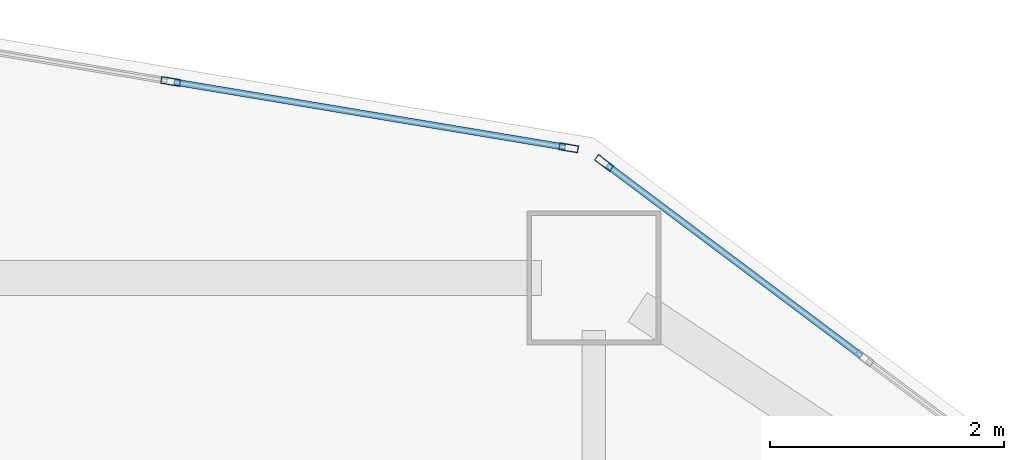
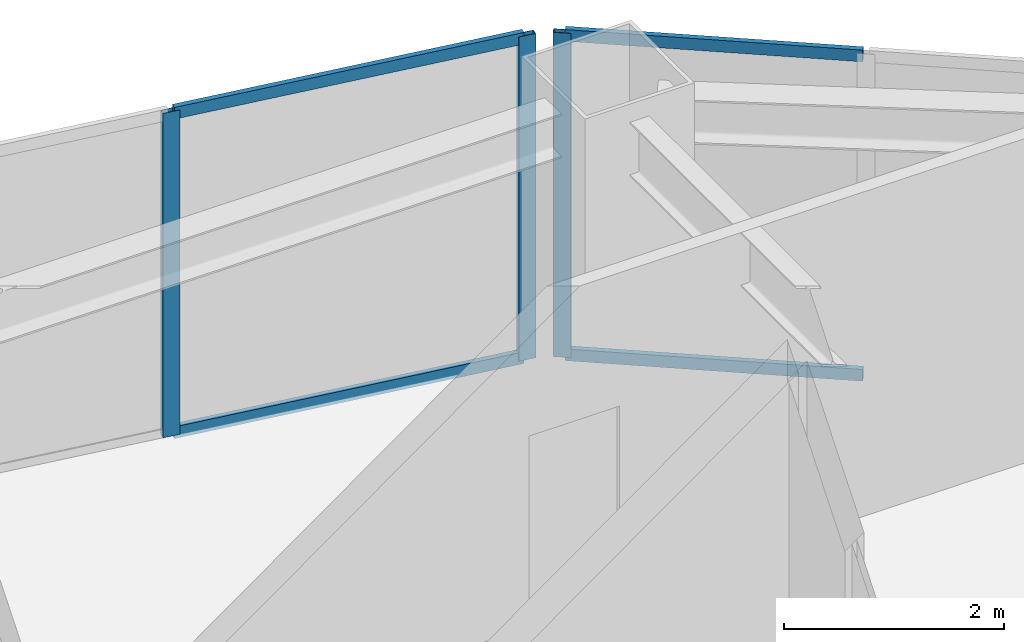
# One storey, part 4 of 16: 7 members, 2 elements without a shape of their own.
"""IFC4 building model written with IfcOpenShell, lengths in metres."""

from ifc_helpers import new_model, si_unit, direction, frame, origin, origin_2d, place, context, subcontext, project, spatial, hollow_rectangle, extrude, material, layer, layer_set, material_profile, profile_set, type_object, element, aggregate, save


model = new_model("IFC4")

# Units and contexts
model_context = context("Model", 3, precision=1e-05, world=origin(), true_north=direction((0.0, 1.0)))
body_context = subcontext(model_context, "Body", "Model", "MODEL_VIEW")
ifc_project = project(units=[si_unit("LENGTHUNIT", "METRE"), si_unit("AREAUNIT", "SQUARE_METRE"), si_unit("VOLUMEUNIT", "CUBIC_METRE"), si_unit("PLANEANGLEUNIT", "RADIAN"), si_unit("MASSUNIT", "GRAM", prefix="KILO")], contexts=[model_context])

# Site, building, storey
site_placement = place(None, origin())
site = spatial("IfcSite", under=ifc_project, at=site_placement, CompositionType="ELEMENT")
building_placement = place(site_placement, origin())
building = spatial("IfcBuilding", under=site, at=building_placement, Name="Haolan Belvedere Tower", CompositionType="ELEMENT")
storey_placement = place(building_placement, frame((0.0, 0.0, 78.0)))
storey = spatial("IfcBuildingStorey", under=building, at=storey_placement, Name="L19", CompositionType="ELEMENT", Elevation=78.0)

# Curtain wall, member
ifc_material_1 = material(Name="Anodised champagne-silver aluminium 6063-T6 and Low-E glass", Category="aluminium")
ifc_layer = layer(ifc_material_1, 0.1650390625, Name="Anodised champagne-silver aluminium 6063-T6 and Low-E glass")
ifc_layer_set = layer_set([ifc_layer], Name="Anodised champagne-silver aluminium 6063-T6 and Low-E glass")
curtain_wall_type = type_object("IfcCurtainWallType", Name="CW-SYS-02", PredefinedType="NOTDEFINED", material=ifc_layer_set)
curtain_wall_1_placement = place(storey_placement, origin())
curtain_wall_1 = element("IfcCurtainWall", 1, at=curtain_wall_1_placement, inside=storey, type_object=curtain_wall_type, Name="L19 CW-SYS-02 ribbon curtain wall 41.1", PredefinedType="NOTDEFINED")
ifc_material_2 = material(Name="Anodised aluminium 6063-T6", Category="aluminium")
ifc_material_profile_1 = material_profile(ifc_material_2, hollow_rectangle(XDim=0.06005859375, YDim=0.1650390625, WallThickness=0.00390625, at=origin_2d()), Name="Anodised aluminium 6063-T6")
ifc_profile_set_1 = profile_set([ifc_material_profile_1], Name="Anodised aluminium 6063-T6")
member_type_1 = type_object("IfcMemberType", Name="CW-SYS-02-MUL", PredefinedType="MULLION", material=ifc_profile_set_1)
member_1_placement = place(storey_placement, frame((45.6875, 51.384521484375, 0.0), z_axis=(0.0, 0.0, 1.0), x_axis=(-0.599994316874, -0.800004262313, 0.0)))
member_1 = element("IfcMember", 2, at=member_1_placement, type_object=member_type_1, Name="CW-02 mullion 3", PredefinedType="MULLION", context=body_context, shape_type="SweptSolid", body=[
    extrude(hollow_rectangle(XDim=0.06005859375, YDim=0.1650390625, WallThickness=0.00390625, at=origin_2d()), origin(), (0.0, 0.0, 1.0), 3.60009765625),
])

# Curtain wall, members
curtain_wall_2_placement = place(storey_placement, origin())
curtain_wall_2 = element("IfcCurtainWall", 3, at=curtain_wall_2_placement, inside=storey, type_object=curtain_wall_type, Name="L19 CW-SYS-02 ribbon curtain wall 42.1", PredefinedType="NOTDEFINED")
member_2_placement = place(storey_placement, frame((45.3837890625, 51.514404296875, 0.0), z_axis=(0.0, 0.0, 1.0), x_axis=(-0.16440364043, -0.9863931483, 0.0)))
member_2 = element("IfcMember", 4, at=member_2_placement, type_object=member_type_1, Name="CW-02 mullion 1", PredefinedType="MULLION", context=body_context, shape_type="SweptSolid", body=[
    extrude(hollow_rectangle(XDim=0.06005859375, YDim=0.1650390625, WallThickness=0.00390625, at=origin_2d()), origin(), (0.0, 0.0, 1.0), 3.60009765625),
])
member_3_placement = place(storey_placement, frame((41.9755859375, 52.082275390625, 0.0), z_axis=(0.0, 0.0, 1.0), x_axis=(-0.16440364043, -0.9863931483, 0.0)))
member_3 = element("IfcMember", 5, at=member_3_placement, type_object=member_type_1, Name="CW-02 mullion 2", PredefinedType="MULLION", context=body_context, shape_type="SweptSolid", body=[
    extrude(hollow_rectangle(XDim=0.06005859375, YDim=0.1650390625, WallThickness=0.00390625, at=origin_2d()), origin(), (0.0, 0.0, 1.0), 3.60009765625),
])

# Member
ifc_material_profile_2 = material_profile(ifc_material_2, hollow_rectangle(XDim=0.054931640625, YDim=0.1298828125, WallThickness=0.00390625, at=origin_2d()), Name="Anodised aluminium 6063-T6")
ifc_profile_set_2 = profile_set([ifc_material_profile_2], Name="Anodised aluminium 6063-T6")
member_type_2 = type_object("IfcMemberType", Name="CW-SYS-02-TRN", PredefinedType="USERDEFINED", material=ifc_profile_set_2)
member_4_placement = place(storey_placement, frame((47.8916015625, 49.731201171875, 0.027587890625), z_axis=(-0.799978499504, 0.600028666258, 0.0), x_axis=(-0.600028666258, -0.799978499504, 0.0)))
member_4 = element("IfcMember", 6, at=member_4_placement, type_object=member_type_2, Name="CW-02 transom 2.1", ObjectType="TRANSOM", PredefinedType="USERDEFINED", context=body_context, shape_type="SweptSolid", body=[
    extrude(hollow_rectangle(XDim=0.054931640625, YDim=0.1298828125, WallThickness=0.00390625, at=origin_2d()), origin(), (0.0, 0.0, 1.0), 2.725341796875),
])

member_5_placement = place(storey_placement, frame((47.8916015625, 49.731201171875, 3.572509765625), z_axis=(-0.799978499504, 0.600028666258, 0.0), x_axis=(-0.600028666258, -0.799978499504, 0.0)))
member_5 = element("IfcMember", 7, at=member_5_placement, type_object=member_type_2, Name="CW-02 transom 2.2", ObjectType="TRANSOM", PredefinedType="USERDEFINED", context=body_context, shape_type="SweptSolid", body=[
    extrude(hollow_rectangle(XDim=0.054931640625, YDim=0.1298828125, WallThickness=0.00390625, at=origin_2d()), origin(), (0.0, 0.0, 1.0), 2.725341796875),
])

aggregate(curtain_wall_1, [member_1, member_4, member_5])

member_6_placement = place(storey_placement, frame((45.35400390625, 51.519287109375, 0.027587890625), z_axis=(-0.986393923832, 0.164398987305, 0.0), x_axis=(-0.164398987305, -0.986393923832, 0.0)))
member_6 = element("IfcMember", 8, at=member_6_placement, type_object=member_type_2, Name="CW-02 transom 1.1", ObjectType="TRANSOM", PredefinedType="USERDEFINED", context=body_context, shape_type="SweptSolid", body=[
    extrude(hollow_rectangle(XDim=0.054931640625, YDim=0.1298828125, WallThickness=0.00390625, at=origin_2d()), origin(), (0.0, 0.0, 1.0), 3.394775390625),
])

member_7_placement = place(storey_placement, frame((45.35400390625, 51.519287109375, 3.572509765625), z_axis=(-0.986393923832, 0.164398987305, 0.0), x_axis=(-0.164398987305, -0.986393923832, 0.0)))
member_7 = element("IfcMember", 9, at=member_7_placement, type_object=member_type_2, Name="CW-02 transom 1.2", ObjectType="TRANSOM", PredefinedType="USERDEFINED", context=body_context, shape_type="SweptSolid", body=[
    extrude(hollow_rectangle(XDim=0.054931640625, YDim=0.1298828125, WallThickness=0.00390625, at=origin_2d()), origin(), (0.0, 0.0, 1.0), 3.394775390625),
])

aggregate(curtain_wall_2, [member_2, member_3, member_6, member_7])

save(model, "model.ifc")
